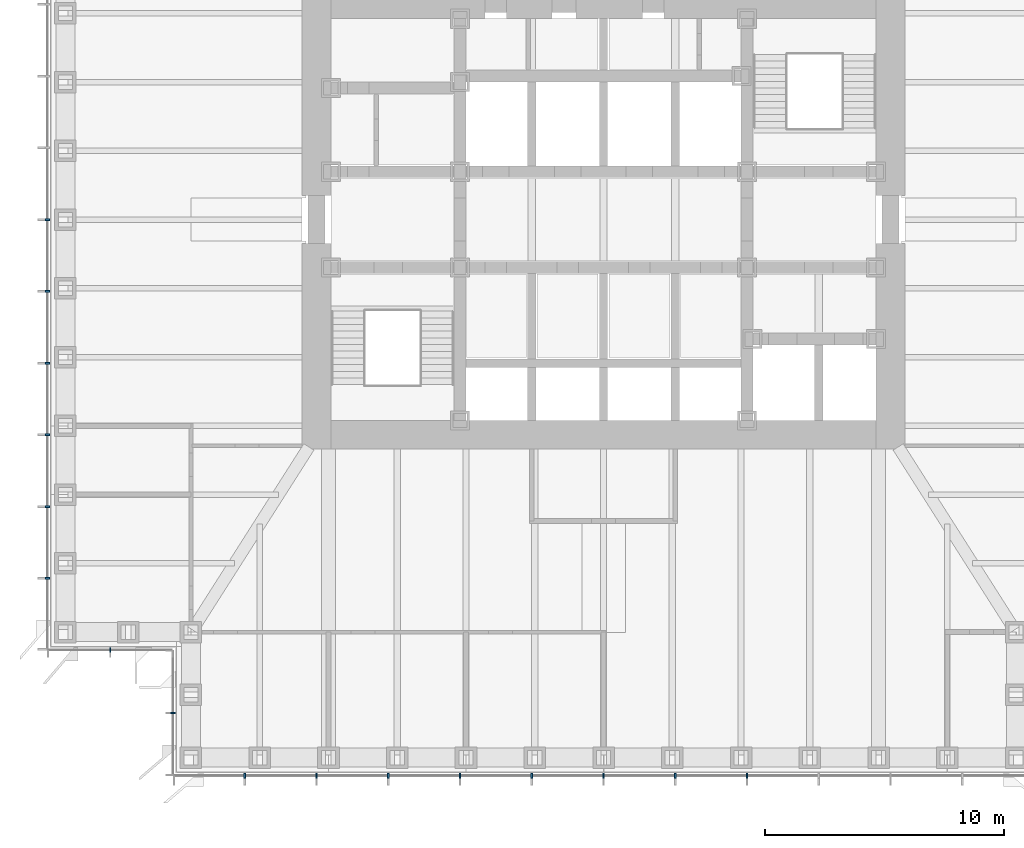
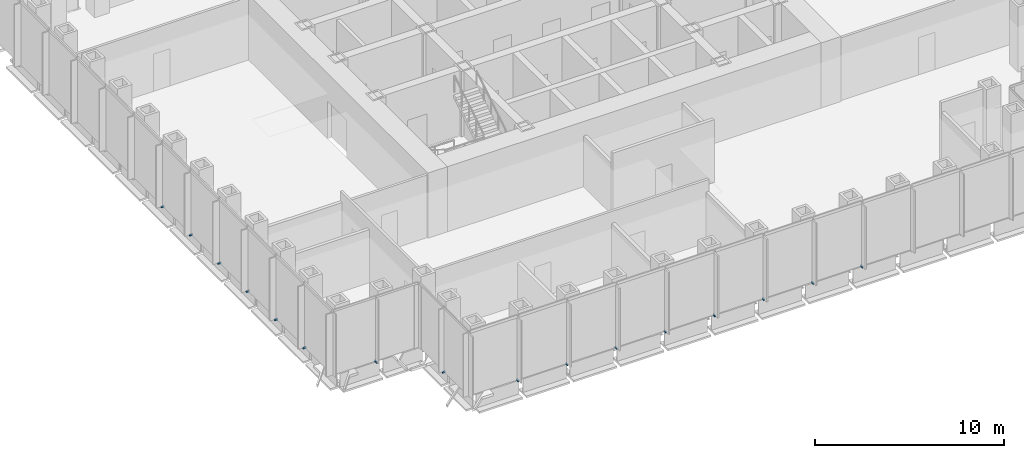
# One storey, part 11 of 17: 16 discrete accessories.
"""IFC4 building model written with IfcOpenShell, lengths in metres."""

from ifc_helpers import new_model, si_unit, direction, frame, origin, origin_2d, place, context, subcontext, project, spatial, rectangle, extrude, element, save


model = new_model("IFC4")

# Units and contexts
model_context = context("Model", 3, precision=1e-05, world=origin(), true_north=direction((0.0, 1.0)))
body_context = subcontext(model_context, "Body", "Model", "MODEL_VIEW")
ifc_project = project(units=[si_unit("LENGTHUNIT", "METRE"), si_unit("AREAUNIT", "SQUARE_METRE"), si_unit("VOLUMEUNIT", "CUBIC_METRE"), si_unit("PLANEANGLEUNIT", "RADIAN"), si_unit("MASSUNIT", "GRAM", prefix="KILO")], contexts=[model_context])

# Site, building, storey
site_placement = place(None, origin())
site = spatial("IfcSite", under=ifc_project, at=site_placement, CompositionType="ELEMENT")
building_placement = place(site_placement, origin())
building = spatial("IfcBuilding", under=site, at=building_placement, Name="Daluyong Arena Tower", CompositionType="ELEMENT")
storey_placement = place(building_placement, frame((0.0, 0.0, 112.300048828125)))
storey = spatial("IfcBuildingStorey", under=building, at=storey_placement, Name="L24", CompositionType="ELEMENT", Elevation=112.300048828125)

# Discrete accessories
for number, where, z_axis, x_axis, name in (
    (1, (41.0, 56.75, -0.10009765625), (0.0, 0.0, 1.0), (1.0, 0.0, 0.0), "curtain wall L24 S anchor bracket 2"),
    (2, (44.0, 56.75, -0.10009765625), (0.0, 0.0, 1.0), (1.0, 0.0, 0.0), "curtain wall L24 S anchor bracket 3"),
    (3, (47.0, 56.75, -0.10009765625), (0.0, 0.0, 1.0), (1.0, 0.0, 0.0), "curtain wall L24 S anchor bracket 4"),
    (4, (50.0, 56.75, -0.10009765625), (0.0, 0.0, 1.0), (1.0, 0.0, 0.0), "curtain wall L24 S anchor bracket 5"),
    (5, (53.0, 56.75, -0.10009765625), (0.0, 0.0, 1.0), (1.0, 0.0, 0.0), "curtain wall L24 S anchor bracket 6"),
    (6, (56.0, 56.75, -0.10009765625), (0.0, 0.0, 1.0), (1.0, 0.0, 0.0), "curtain wall L24 S anchor bracket 7"),
    (7, (59.0, 56.75, -0.10009765625), (0.0, 0.0, 1.0), (1.0, 0.0, 0.0), "curtain wall L24 S anchor bracket 8"),
    (8, (62.0, 56.75, -0.10009765625), (0.0, 0.0, 1.0), (1.0, 0.0, 0.0), "curtain wall L24 S anchor bracket 9"),
    (9, (32.75, 80.0, -0.10009765625), (0.0, 0.0, 1.0), (0.0, -1.0, 0.0), "curtain wall L24 W anchor bracket 7"),
    (10, (32.75, 77.0, -0.10009765625), (0.0, 0.0, 1.0), (0.0, -1.0, 0.0), "curtain wall L24 W anchor bracket 8"),
    (11, (32.75, 74.0, -0.10009765625), (0.0, 0.0, 1.0), (0.0, -1.0, 0.0), "curtain wall L24 W anchor bracket 9"),
    (12, (32.75, 71.0, -0.10009765625), (0.0, 0.0, 1.0), (0.0, -1.0, 0.0), "curtain wall L24 W anchor bracket 10"),
    (13, (32.75, 68.0, -0.10009765625), (0.0, 0.0, 1.0), (0.0, -1.0, 0.0), "curtain wall L24 W anchor bracket 11"),
    (14, (32.75, 65.0, -0.10009765625), (0.0, 0.0, 1.0), (0.0, -1.0, 0.0), "curtain wall L24 W anchor bracket 12"),
):
    element("IfcDiscreteAccessory", number, at=place(storey_placement, frame(where, z_axis=z_axis, x_axis=x_axis)), inside=storey, Name=name, PredefinedType="BRACKET", context=body_context, shape_type="SweptSolid", body=[
        extrude(rectangle(XDim=0.080078125, YDim=0.199951171875, at=origin_2d()), origin(), (0.0, 0.0, 1.0), 0.10009765625),
    ])
for number, where, z_axis, x_axis, name in (
    (15, (35.375, 62.0, -0.10009765625), (0.0, 0.0, 1.0), (1.0, 0.0, 0.0), "curtain wall L24 SW-S anchor bracket 2"),
    (16, (38.0, 59.375, -0.10009765625), (0.0, 0.0, 1.0), (0.0, -1.0, 0.0), "curtain wall L24 SW-W anchor bracket 2"),
):
    element("IfcDiscreteAccessory", number, at=place(storey_placement, frame(where, z_axis=z_axis, x_axis=x_axis)), inside=storey, Name=name, PredefinedType="BRACKET", context=body_context, shape_type="SweptSolid", body=[
        extrude(rectangle(XDim=0.06005859375, YDim=0.199951171875, at=origin_2d()), origin(), (0.0, 0.0, 1.0), 0.10009765625),
    ])

save(model, "model.ifc")
